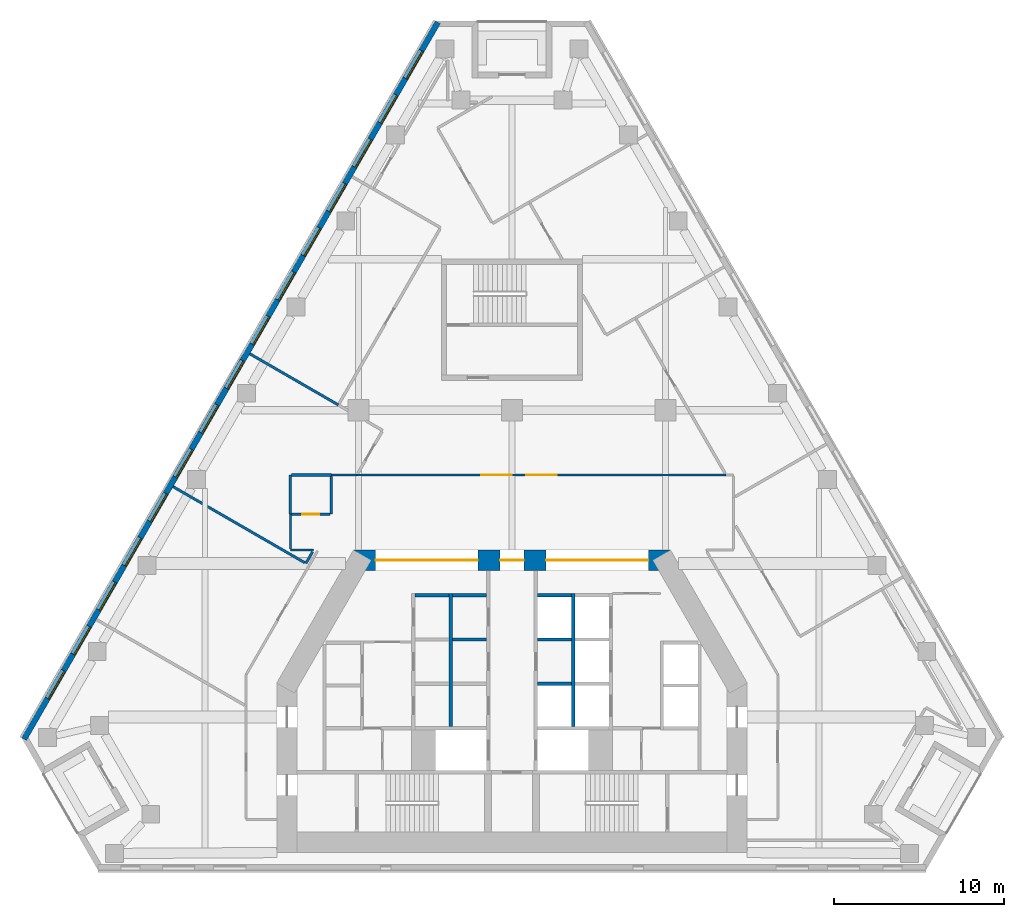
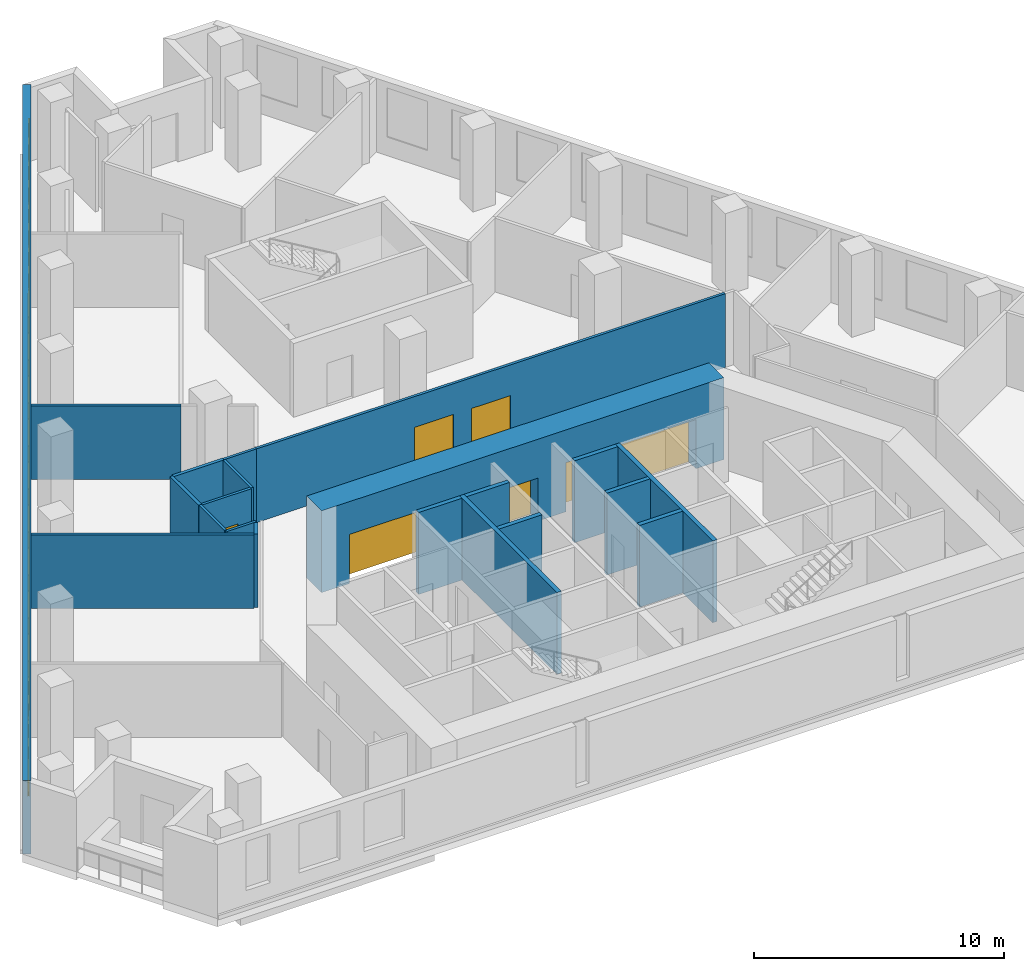
# One storey, part 4 of 8: 21 walls, 15 windows, 6 doors, 21 openings.
"""IFC4 building model written with IfcOpenShell, lengths in metres."""

from ifc_helpers import new_model, si_unit, direction, frame, frame_2d, origin, place, context, subcontext, project, spatial, rectangle, extrude, material, layer, layer_set, type_object, element, fill, save


model = new_model("IFC4")

# Units and contexts
model_context = context("Model", 3, precision=1e-05, world=origin(), true_north=direction((0.0, 1.0)))
body_context = subcontext(model_context, "Body", "Model", "MODEL_VIEW")
ifc_project = project(units=[si_unit("LENGTHUNIT", "METRE"), si_unit("AREAUNIT", "SQUARE_METRE"), si_unit("VOLUMEUNIT", "CUBIC_METRE"), si_unit("PLANEANGLEUNIT", "RADIAN"), si_unit("MASSUNIT", "GRAM", prefix="KILO")], contexts=[model_context])

# Site, building, storey
site_placement = place(None, origin())
site = spatial("IfcSite", under=ifc_project, at=site_placement, CompositionType="ELEMENT")
building_placement = place(site_placement, origin())
building = spatial("IfcBuilding", under=site, at=building_placement, Name="Fogline Exchange Tower", CompositionType="ELEMENT")
storey_placement = place(building_placement, frame((0.0, 0.0, 154.89990234375)))
storey = spatial("IfcBuildingStorey", under=building, at=storey_placement, Name="L34", CompositionType="ELEMENT", Elevation=154.89990234375)

# Walls
ifc_material_1 = material(Name="Concrete C40", Category="concrete")
ifc_layer_1 = layer(ifc_material_1, 0.199951171875)
ifc_layer_set_1 = layer_set([ifc_layer_1], Name="CW20")
wall_type_1 = type_object("IfcWallType", Name="CW20", PredefinedType="SOLIDWALL", material=ifc_layer_set_1)
wall_1_placement = place(storey_placement, frame((-3.5, 13.550048828125, 0.0), z_axis=(0.0, 0.0, 1.0), x_axis=(1.0, 0.0, 0.0)))
element("IfcWall", 1, at=wall_1_placement, inside=storey, type_object=wall_type_1, Name="Service room wall", PredefinedType="SOLIDWALL", context=body_context, shape_type="SweptSolid", body=[
    extrude(rectangle(XDim=2.0, YDim=0.199951171875, at=frame_2d((1.0, 0.0))), origin(), (0.0, 0.0, 1.0), 3.60009765625),
])
ifc_layer_2 = layer(ifc_material_1, 0.199951171875)
ifc_layer_set_2 = layer_set([ifc_layer_2], Name="CW20S")
wall_type_2 = type_object("IfcWallType", Name="CW20S", PredefinedType="SOLIDWALL", material=ifc_layer_set_2)
for number, where, z_axis, x_axis, name in (
    (2, (-3.60009765625, 8.449951171875, -0.39990234375), (0.0, 0.0, 1.0), (0.0, 1.0, 0.0), "Lift shaft wall"),
    (3, (3.60009765625, 8.449951171875, -0.39990234375), (0.0, 0.0, 1.0), (0.0, 1.0, 0.0), "Lift shaft wall"),
):
    element("IfcWall", number, at=place(storey_placement, frame(where, z_axis=z_axis, x_axis=x_axis)), inside=storey, type_object=wall_type_2, Name=name, PredefinedType="SOLIDWALL", context=body_context, shape_type="SweptSolid", body=[
        extrude(rectangle(XDim=7.800048828125, YDim=0.199951171875, at=frame_2d((3.89990234375, 0.0))), origin(), (0.0, 0.0, 1.0), 4.0),
    ])
for number, where, z_axis, x_axis, name in (
    (4, (-5.699951171875, 16.14990234375, -0.39990234375), (0.0, 0.0, 1.0), (1.0, 0.0, 0.0), "Lift shaft wall"),
    (5, (-3.5, 16.14990234375, -0.39990234375), (0.0, 0.0, 1.0), (1.0, 0.0, 0.0), "Lift shaft wall"),
    (6, (1.5, 10.949951171875, -0.39990234375), (0.0, 0.0, 1.0), (1.0, 0.0, 0.0), "Lift shaft wall"),
    (7, (1.5, 13.550048828125, -0.39990234375), (0.0, 0.0, 1.0), (1.0, 0.0, 0.0), "Lift shaft wall"),
    (8, (1.5, 16.14990234375, -0.39990234375), (0.0, 0.0, 1.0), (1.0, 0.0, 0.0), "Lift shaft wall"),
):
    element("IfcWall", number, at=place(storey_placement, frame(where, z_axis=z_axis, x_axis=x_axis)), inside=storey, type_object=wall_type_2, Name=name, PredefinedType="SOLIDWALL", context=body_context, shape_type="SweptSolid", body=[
        extrude(rectangle(XDim=2.0, YDim=0.199951171875, at=frame_2d((1.0, 0.0))), origin(), (0.0, 0.0, 1.0), 4.0),
    ])

# Wall, openings, windows
ifc_material_2 = material(Name="Brick masonry", Category="masonry")
ifc_layer_3 = layer(ifc_material_2, 0.340087890625)
ifc_layer_set_3 = layer_set([ifc_layer_3], Name="FW1")
wall_type_3 = type_object("IfcWallType", Name="FW1", PredefinedType="SOLIDWALL", material=ifc_layer_set_3)
wall_2_placement = place(storey_placement, frame((-4.352783203125, 49.756591796875, 0.0), z_axis=(0.0, 0.0, 1.0), x_axis=(-0.500001027829, -0.866024810367, 0.0)))
wall_2 = element("IfcWall", 9, at=wall_2_placement, inside=storey, type_object=wall_type_3, Name="Brick wall L34 W", PredefinedType="SOLIDWALL", context=body_context, shape_type="SweptSolid", body=[
    extrude(rectangle(XDim=48.55224609375, YDim=0.340087890625, at=frame_2d((24.276123046875, 0.0))), origin(), (0.0, 0.0, 1.0), 3.60009765625),
])
opening_1_placement = place(wall_2_placement, frame((1.9140625, 0.0, 0.89990234375)))
opening_1 = element("IfcOpeningElement", 10, at=opening_1_placement, cuts=wall_2, Name="Opening W1", PredefinedType="OPENING", context=body_context, shape_type="SweptSolid", body=[
    extrude(rectangle(XDim=1.885009765625, YDim=2.39990234375, at=frame_2d((0.9423828125, 1.199951171875))), frame((0.0, 0.18017578125, 0.0), z_axis=(0.0, -1.0, 0.0), x_axis=(1.0, 0.0, 0.0)), (0.0, 0.0, 1.0), 0.360107421875),
])
opening_2_placement = place(wall_2_placement, frame((4.9140625, 0.0, 0.89990234375)))
opening_2 = element("IfcOpeningElement", 11, at=opening_2_placement, cuts=wall_2, Name="Opening W1", PredefinedType="OPENING", context=body_context, shape_type="SweptSolid", body=[
    extrude(rectangle(XDim=1.885009765625, YDim=2.39990234375, at=frame_2d((0.9423828125, 1.199951171875))), frame((0.0, 0.18017578125, 0.0), z_axis=(0.0, -1.0, 0.0), x_axis=(1.0, 0.0, 0.0)), (0.0, 0.0, 1.0), 0.360107421875),
])
opening_3_placement = place(wall_2_placement, frame((7.9140625, 0.0, 0.89990234375)))
opening_3 = element("IfcOpeningElement", 12, at=opening_3_placement, cuts=wall_2, Name="Opening W1", PredefinedType="OPENING", context=body_context, shape_type="SweptSolid", body=[
    extrude(rectangle(XDim=1.885009765625, YDim=2.39990234375, at=frame_2d((0.9423828125, 1.199951171875))), frame((0.0, 0.18017578125, 0.0), z_axis=(0.0, -1.0, 0.0), x_axis=(1.0, 0.0, 0.0)), (0.0, 0.0, 1.0), 0.360107421875),
])
opening_4_placement = place(wall_2_placement, frame((10.9140625, 0.0, 0.89990234375)))
opening_4 = element("IfcOpeningElement", 13, at=opening_4_placement, cuts=wall_2, Name="Opening W1", PredefinedType="OPENING", context=body_context, shape_type="SweptSolid", body=[
    extrude(rectangle(XDim=1.885009765625, YDim=2.39990234375, at=frame_2d((0.9423828125, 1.199951171875))), frame((0.0, 0.18017578125, 0.0), z_axis=(0.0, -1.0, 0.0), x_axis=(1.0, 0.0, 0.0)), (0.0, 0.0, 1.0), 0.360107421875),
])
opening_5_placement = place(wall_2_placement, frame((13.9140625, 0.0, 0.89990234375)))
opening_5 = element("IfcOpeningElement", 14, at=opening_5_placement, cuts=wall_2, Name="Opening W1", PredefinedType="OPENING", context=body_context, shape_type="SweptSolid", body=[
    extrude(rectangle(XDim=1.885009765625, YDim=2.39990234375, at=frame_2d((0.9423828125, 1.199951171875))), frame((0.0, 0.18017578125, 0.0), z_axis=(0.0, -1.0, 0.0), x_axis=(1.0, 0.0, 0.0)), (0.0, 0.0, 1.0), 0.360107421875),
])
opening_6_placement = place(wall_2_placement, frame((16.9140625, 0.0, 0.89990234375)))
opening_6 = element("IfcOpeningElement", 15, at=opening_6_placement, cuts=wall_2, Name="Opening W1", PredefinedType="OPENING", context=body_context, shape_type="SweptSolid", body=[
    extrude(rectangle(XDim=1.885009765625, YDim=2.39990234375, at=frame_2d((0.9423828125, 1.199951171875))), frame((0.0, 0.18017578125, 0.0), z_axis=(0.0, -1.0, 0.0), x_axis=(1.0, 0.0, 0.0)), (0.0, 0.0, 1.0), 0.360107421875),
])
opening_7_placement = place(wall_2_placement, frame((19.9140625, 0.0, 0.89990234375)))
opening_7 = element("IfcOpeningElement", 16, at=opening_7_placement, cuts=wall_2, Name="Opening W1", PredefinedType="OPENING", context=body_context, shape_type="SweptSolid", body=[
    extrude(rectangle(XDim=1.885009765625, YDim=2.39990234375, at=frame_2d((0.9423828125, 1.199951171875))), frame((0.0, 0.18017578125, 0.0), z_axis=(0.0, -1.0, 0.0), x_axis=(1.0, 0.0, 0.0)), (0.0, 0.0, 1.0), 0.360107421875),
])
opening_8_placement = place(wall_2_placement, frame((22.9140625, 0.0, 0.89990234375)))
opening_8 = element("IfcOpeningElement", 17, at=opening_8_placement, cuts=wall_2, Name="Opening W1", PredefinedType="OPENING", context=body_context, shape_type="SweptSolid", body=[
    extrude(rectangle(XDim=1.885009765625, YDim=2.39990234375, at=frame_2d((0.9423828125, 1.199951171875))), frame((0.0, 0.18017578125, 0.0), z_axis=(0.0, -1.0, 0.0), x_axis=(1.0, 0.0, 0.0)), (0.0, 0.0, 1.0), 0.360107421875),
])
opening_9_placement = place(wall_2_placement, frame((25.9140625, 0.0, 0.89990234375)))
opening_9 = element("IfcOpeningElement", 18, at=opening_9_placement, cuts=wall_2, Name="Opening W1", PredefinedType="OPENING", context=body_context, shape_type="SweptSolid", body=[
    extrude(rectangle(XDim=1.885009765625, YDim=2.39990234375, at=frame_2d((0.9423828125, 1.199951171875))), frame((0.0, 0.18017578125, 0.0), z_axis=(0.0, -1.0, 0.0), x_axis=(1.0, 0.0, 0.0)), (0.0, 0.0, 1.0), 0.360107421875),
])
opening_10_placement = place(wall_2_placement, frame((28.9140625, 0.0, 0.89990234375)))
opening_10 = element("IfcOpeningElement", 19, at=opening_10_placement, cuts=wall_2, Name="Opening W1", PredefinedType="OPENING", context=body_context, shape_type="SweptSolid", body=[
    extrude(rectangle(XDim=1.885009765625, YDim=2.39990234375, at=frame_2d((0.9423828125, 1.199951171875))), frame((0.0, 0.18017578125, 0.0), z_axis=(0.0, -1.0, 0.0), x_axis=(1.0, 0.0, 0.0)), (0.0, 0.0, 1.0), 0.360107421875),
])
opening_11_placement = place(wall_2_placement, frame((31.9140625, 0.0, 0.89990234375)))
opening_11 = element("IfcOpeningElement", 20, at=opening_11_placement, cuts=wall_2, Name="Opening W1", PredefinedType="OPENING", context=body_context, shape_type="SweptSolid", body=[
    extrude(rectangle(XDim=1.885009765625, YDim=2.39990234375, at=frame_2d((0.9423828125, 1.199951171875))), frame((0.0, 0.18017578125, 0.0), z_axis=(0.0, -1.0, 0.0), x_axis=(1.0, 0.0, 0.0)), (0.0, 0.0, 1.0), 0.360107421875),
])
opening_12_placement = place(wall_2_placement, frame((34.9140625, 0.0, 0.89990234375)))
opening_12 = element("IfcOpeningElement", 21, at=opening_12_placement, cuts=wall_2, Name="Opening W1", PredefinedType="OPENING", context=body_context, shape_type="SweptSolid", body=[
    extrude(rectangle(XDim=1.885009765625, YDim=2.39990234375, at=frame_2d((0.9423828125, 1.199951171875))), frame((0.0, 0.18017578125, 0.0), z_axis=(0.0, -1.0, 0.0), x_axis=(1.0, 0.0, 0.0)), (0.0, 0.0, 1.0), 0.360107421875),
])
opening_13_placement = place(wall_2_placement, frame((37.9140625, 0.0, 0.89990234375)))
opening_13 = element("IfcOpeningElement", 22, at=opening_13_placement, cuts=wall_2, Name="Opening W1", PredefinedType="OPENING", context=body_context, shape_type="SweptSolid", body=[
    extrude(rectangle(XDim=1.885009765625, YDim=2.39990234375, at=frame_2d((0.9423828125, 1.199951171875))), frame((0.0, 0.18017578125, 0.0), z_axis=(0.0, -1.0, 0.0), x_axis=(1.0, 0.0, 0.0)), (0.0, 0.0, 1.0), 0.360107421875),
])
opening_14_placement = place(wall_2_placement, frame((40.9140625, 0.0, 0.89990234375)))
opening_14 = element("IfcOpeningElement", 23, at=opening_14_placement, cuts=wall_2, Name="Opening W1", PredefinedType="OPENING", context=body_context, shape_type="SweptSolid", body=[
    extrude(rectangle(XDim=1.885009765625, YDim=2.39990234375, at=frame_2d((0.9423828125, 1.199951171875))), frame((0.0, 0.18017578125, 0.0), z_axis=(0.0, -1.0, 0.0), x_axis=(1.0, 0.0, 0.0)), (0.0, 0.0, 1.0), 0.360107421875),
])
opening_15_placement = place(wall_2_placement, frame((43.9140625, 0.0, 0.89990234375)))
opening_15 = element("IfcOpeningElement", 24, at=opening_15_placement, cuts=wall_2, Name="Opening W1", PredefinedType="OPENING", context=body_context, shape_type="SweptSolid", body=[
    extrude(rectangle(XDim=1.885009765625, YDim=2.39990234375, at=frame_2d((0.9423828125, 1.199951171875))), frame((0.0, 0.18017578125, 0.0), z_axis=(0.0, -1.0, 0.0), x_axis=(1.0, 0.0, 0.0)), (0.0, 0.0, 1.0), 0.360107421875),
])
ifc_material_3 = material(Name="Aluminium and glass", Category="aluminium")
window_type = type_object("IfcWindowType", Name="W1", PartitioningType="SINGLE_PANEL", PredefinedType="WINDOW", material=ifc_material_3)
window_1_placement = place(opening_1_placement, origin())
window_1 = element("IfcWindow", 25, at=window_1_placement, inside=storey, type_object=window_type, Name="W1 W1", OverallHeight=2.39990234375, OverallWidth=1.885009765625, PartitioningType="SINGLE_PANEL", PredefinedType="WINDOW", context=body_context, shape_type="SweptSolid", body=[
    extrude(rectangle(XDim=1.885009765625, YDim=2.39990234375, at=frame_2d((0.9423828125, 1.199951171875))), frame((0.0, 0.110107421875, 0.0), z_axis=(0.0, -1.0, 0.0), x_axis=(1.0, 0.0, 0.0)), (0.0, 0.0, 1.0), 0.06005859375),
])
fill(opening_1, window_1)
window_2_placement = place(opening_2_placement, origin())
window_2 = element("IfcWindow", 26, at=window_2_placement, inside=storey, type_object=window_type, Name="W1 W1", OverallHeight=2.39990234375, OverallWidth=1.885009765625, PartitioningType="SINGLE_PANEL", PredefinedType="WINDOW", context=body_context, shape_type="SweptSolid", body=[
    extrude(rectangle(XDim=1.885009765625, YDim=2.39990234375, at=frame_2d((0.9423828125, 1.199951171875))), frame((0.0, 0.110107421875, 0.0), z_axis=(0.0, -1.0, 0.0), x_axis=(1.0, 0.0, 0.0)), (0.0, 0.0, 1.0), 0.06005859375),
])
fill(opening_2, window_2)
window_3_placement = place(opening_3_placement, origin())
window_3 = element("IfcWindow", 27, at=window_3_placement, inside=storey, type_object=window_type, Name="W1 W1", OverallHeight=2.39990234375, OverallWidth=1.885009765625, PartitioningType="SINGLE_PANEL", PredefinedType="WINDOW", context=body_context, shape_type="SweptSolid", body=[
    extrude(rectangle(XDim=1.885009765625, YDim=2.39990234375, at=frame_2d((0.9423828125, 1.199951171875))), frame((0.0, 0.110107421875, 0.0), z_axis=(0.0, -1.0, 0.0), x_axis=(1.0, 0.0, 0.0)), (0.0, 0.0, 1.0), 0.06005859375),
])
fill(opening_3, window_3)
window_4_placement = place(opening_4_placement, origin())
window_4 = element("IfcWindow", 28, at=window_4_placement, inside=storey, type_object=window_type, Name="W1 W1", OverallHeight=2.39990234375, OverallWidth=1.885009765625, PartitioningType="SINGLE_PANEL", PredefinedType="WINDOW", context=body_context, shape_type="SweptSolid", body=[
    extrude(rectangle(XDim=1.885009765625, YDim=2.39990234375, at=frame_2d((0.9423828125, 1.199951171875))), frame((0.0, 0.110107421875, 0.0), z_axis=(0.0, -1.0, 0.0), x_axis=(1.0, 0.0, 0.0)), (0.0, 0.0, 1.0), 0.06005859375),
])
fill(opening_4, window_4)
window_5_placement = place(opening_5_placement, origin())
window_5 = element("IfcWindow", 29, at=window_5_placement, inside=storey, type_object=window_type, Name="W1 W1", OverallHeight=2.39990234375, OverallWidth=1.885009765625, PartitioningType="SINGLE_PANEL", PredefinedType="WINDOW", context=body_context, shape_type="SweptSolid", body=[
    extrude(rectangle(XDim=1.885009765625, YDim=2.39990234375, at=frame_2d((0.9423828125, 1.199951171875))), frame((0.0, 0.110107421875, 0.0), z_axis=(0.0, -1.0, 0.0), x_axis=(1.0, 0.0, 0.0)), (0.0, 0.0, 1.0), 0.06005859375),
])
fill(opening_5, window_5)
window_6_placement = place(opening_6_placement, origin())
window_6 = element("IfcWindow", 30, at=window_6_placement, inside=storey, type_object=window_type, Name="W1 W1", OverallHeight=2.39990234375, OverallWidth=1.885009765625, PartitioningType="SINGLE_PANEL", PredefinedType="WINDOW", context=body_context, shape_type="SweptSolid", body=[
    extrude(rectangle(XDim=1.885009765625, YDim=2.39990234375, at=frame_2d((0.9423828125, 1.199951171875))), frame((0.0, 0.110107421875, 0.0), z_axis=(0.0, -1.0, 0.0), x_axis=(1.0, 0.0, 0.0)), (0.0, 0.0, 1.0), 0.06005859375),
])
fill(opening_6, window_6)
window_7_placement = place(opening_7_placement, origin())
window_7 = element("IfcWindow", 31, at=window_7_placement, inside=storey, type_object=window_type, Name="W1 W1", OverallHeight=2.39990234375, OverallWidth=1.885009765625, PartitioningType="SINGLE_PANEL", PredefinedType="WINDOW", context=body_context, shape_type="SweptSolid", body=[
    extrude(rectangle(XDim=1.885009765625, YDim=2.39990234375, at=frame_2d((0.9423828125, 1.199951171875))), frame((0.0, 0.110107421875, 0.0), z_axis=(0.0, -1.0, 0.0), x_axis=(1.0, 0.0, 0.0)), (0.0, 0.0, 1.0), 0.06005859375),
])
fill(opening_7, window_7)
window_8_placement = place(opening_8_placement, origin())
window_8 = element("IfcWindow", 32, at=window_8_placement, inside=storey, type_object=window_type, Name="W1 W1", OverallHeight=2.39990234375, OverallWidth=1.885009765625, PartitioningType="SINGLE_PANEL", PredefinedType="WINDOW", context=body_context, shape_type="SweptSolid", body=[
    extrude(rectangle(XDim=1.885009765625, YDim=2.39990234375, at=frame_2d((0.9423828125, 1.199951171875))), frame((0.0, 0.110107421875, 0.0), z_axis=(0.0, -1.0, 0.0), x_axis=(1.0, 0.0, 0.0)), (0.0, 0.0, 1.0), 0.06005859375),
])
fill(opening_8, window_8)
window_9_placement = place(opening_9_placement, origin())
window_9 = element("IfcWindow", 33, at=window_9_placement, inside=storey, type_object=window_type, Name="W1 W1", OverallHeight=2.39990234375, OverallWidth=1.885009765625, PartitioningType="SINGLE_PANEL", PredefinedType="WINDOW", context=body_context, shape_type="SweptSolid", body=[
    extrude(rectangle(XDim=1.885009765625, YDim=2.39990234375, at=frame_2d((0.9423828125, 1.199951171875))), frame((0.0, 0.110107421875, 0.0), z_axis=(0.0, -1.0, 0.0), x_axis=(1.0, 0.0, 0.0)), (0.0, 0.0, 1.0), 0.06005859375),
])
fill(opening_9, window_9)
window_10_placement = place(opening_10_placement, origin())
window_10 = element("IfcWindow", 34, at=window_10_placement, inside=storey, type_object=window_type, Name="W1 W1", OverallHeight=2.39990234375, OverallWidth=1.885009765625, PartitioningType="SINGLE_PANEL", PredefinedType="WINDOW", context=body_context, shape_type="SweptSolid", body=[
    extrude(rectangle(XDim=1.885009765625, YDim=2.39990234375, at=frame_2d((0.9423828125, 1.199951171875))), frame((0.0, 0.110107421875, 0.0), z_axis=(0.0, -1.0, 0.0), x_axis=(1.0, 0.0, 0.0)), (0.0, 0.0, 1.0), 0.06005859375),
])
fill(opening_10, window_10)
window_11_placement = place(opening_11_placement, origin())
window_11 = element("IfcWindow", 35, at=window_11_placement, inside=storey, type_object=window_type, Name="W1 W1", OverallHeight=2.39990234375, OverallWidth=1.885009765625, PartitioningType="SINGLE_PANEL", PredefinedType="WINDOW", context=body_context, shape_type="SweptSolid", body=[
    extrude(rectangle(XDim=1.885009765625, YDim=2.39990234375, at=frame_2d((0.9423828125, 1.199951171875))), frame((0.0, 0.110107421875, 0.0), z_axis=(0.0, -1.0, 0.0), x_axis=(1.0, 0.0, 0.0)), (0.0, 0.0, 1.0), 0.06005859375),
])
fill(opening_11, window_11)
window_12_placement = place(opening_12_placement, origin())
window_12 = element("IfcWindow", 36, at=window_12_placement, inside=storey, type_object=window_type, Name="W1 W1", OverallHeight=2.39990234375, OverallWidth=1.885009765625, PartitioningType="SINGLE_PANEL", PredefinedType="WINDOW", context=body_context, shape_type="SweptSolid", body=[
    extrude(rectangle(XDim=1.885009765625, YDim=2.39990234375, at=frame_2d((0.9423828125, 1.199951171875))), frame((0.0, 0.110107421875, 0.0), z_axis=(0.0, -1.0, 0.0), x_axis=(1.0, 0.0, 0.0)), (0.0, 0.0, 1.0), 0.06005859375),
])
fill(opening_12, window_12)
window_13_placement = place(opening_13_placement, origin())
window_13 = element("IfcWindow", 37, at=window_13_placement, inside=storey, type_object=window_type, Name="W1 W1", OverallHeight=2.39990234375, OverallWidth=1.885009765625, PartitioningType="SINGLE_PANEL", PredefinedType="WINDOW", context=body_context, shape_type="SweptSolid", body=[
    extrude(rectangle(XDim=1.885009765625, YDim=2.39990234375, at=frame_2d((0.9423828125, 1.199951171875))), frame((0.0, 0.110107421875, 0.0), z_axis=(0.0, -1.0, 0.0), x_axis=(1.0, 0.0, 0.0)), (0.0, 0.0, 1.0), 0.06005859375),
])
fill(opening_13, window_13)
window_14_placement = place(opening_14_placement, origin())
window_14 = element("IfcWindow", 38, at=window_14_placement, inside=storey, type_object=window_type, Name="W1 W1", OverallHeight=2.39990234375, OverallWidth=1.885009765625, PartitioningType="SINGLE_PANEL", PredefinedType="WINDOW", context=body_context, shape_type="SweptSolid", body=[
    extrude(rectangle(XDim=1.885009765625, YDim=2.39990234375, at=frame_2d((0.9423828125, 1.199951171875))), frame((0.0, 0.110107421875, 0.0), z_axis=(0.0, -1.0, 0.0), x_axis=(1.0, 0.0, 0.0)), (0.0, 0.0, 1.0), 0.06005859375),
])
fill(opening_14, window_14)
window_15_placement = place(opening_15_placement, origin())
window_15 = element("IfcWindow", 39, at=window_15_placement, inside=storey, type_object=window_type, Name="W1 W1", OverallHeight=2.39990234375, OverallWidth=1.885009765625, PartitioningType="SINGLE_PANEL", PredefinedType="WINDOW", context=body_context, shape_type="SweptSolid", body=[
    extrude(rectangle(XDim=1.885009765625, YDim=2.39990234375, at=frame_2d((0.9423828125, 1.199951171875))), frame((0.0, 0.110107421875, 0.0), z_axis=(0.0, -1.0, 0.0), x_axis=(1.0, 0.0, 0.0)), (0.0, 0.0, 1.0), 0.06005859375),
])
fill(opening_15, window_15)

# Wall, openings, doors
ifc_material_4 = material(Name="Plasterboard corridor partition with mineral wool, 2 layers each side")
ifc_layer_4 = layer(ifc_material_4, 0.125)
ifc_layer_set_4 = layer_set([ifc_layer_4], Name="PW2")
wall_type_4 = type_object("IfcWallType", Name="PW2", PredefinedType="PARTITIONING", material=ifc_layer_set_4)
wall_3_placement = place(storey_placement, frame((-9.0966796875, 23.199951171875, 0.0), z_axis=(0.0, 0.0, 1.0), x_axis=(1.0, 0.0, 0.0)))
wall_3 = element("IfcWall", 40, at=wall_3_placement, inside=storey, type_object=wall_type_4, Name="wall-L34-W007", PredefinedType="PARTITIONING", context=body_context, shape_type="SweptSolid", body=[
    extrude(rectangle(XDim=21.657470703125, YDim=0.125, at=frame_2d((10.82861328125, 0.0))), origin(), (0.0, 0.0, 1.0), 3.60009765625),
])
opening_16_placement = place(wall_3_placement, frame((7.2890625, 0.0, 0.0)))
opening_16 = element("IfcOpeningElement", 41, at=opening_16_placement, cuts=wall_3, Name="Opening T11-D002", PredefinedType="OPENING", context=body_context, shape_type="SweptSolid", body=[
    extrude(rectangle(XDim=1.800048828125, YDim=2.10009765625, at=frame_2d((0.89990234375, 1.050048828125))), frame((0.0, 0.072509765625, 0.0), z_axis=(0.0, -1.0, 0.0), x_axis=(1.0, 0.0, 0.0)), (0.0, 0.0, 1.0), 0.14501953125),
])
opening_17_placement = place(wall_3_placement, frame((9.9287109375, 0.0, 0.0)))
opening_17 = element("IfcOpeningElement", 42, at=opening_17_placement, cuts=wall_3, Name="Opening T11-D003", PredefinedType="OPENING", context=body_context, shape_type="SweptSolid", body=[
    extrude(rectangle(XDim=1.800048828125, YDim=2.10009765625, at=frame_2d((0.89990234375, 1.050048828125))), frame((0.0, 0.072509765625, 0.0), z_axis=(0.0, -1.0, 0.0), x_axis=(1.0, 0.0, 0.0)), (0.0, 0.0, 1.0), 0.14501953125),
])
ifc_material_5 = material(Name="Fire-rated timber door leaves with steel frame", Category="steel")
door_type_1 = type_object("IfcDoorType", Name="D4", OperationType="DOUBLE_DOOR_SINGLE_SWING", PredefinedType="DOOR", material=ifc_material_5)
door_1_placement = place(opening_16_placement, frame((1.800048828125, 0.0, 0.0), z_axis=(0.0, 0.0, 1.0), x_axis=(-1.0, 0.0, 0.0)))
door_1 = element("IfcDoor", 43, at=door_1_placement, inside=storey, type_object=door_type_1, Name="door-L34-D002", OperationType="DOUBLE_DOOR_SINGLE_SWING", OverallHeight=2.10009765625, OverallWidth=1.800048828125, PredefinedType="DOOR", context=body_context, shape_type="SweptSolid", body=[
    extrude(rectangle(XDim=1.800048828125, YDim=2.10009765625, at=frame_2d((0.89990234375, 1.050048828125))), frame((0.0, 0.02490234375, 0.0), z_axis=(0.0, -1.0, 0.0), x_axis=(1.0, 0.0, 0.0)), (0.0, 0.0, 1.0), 0.050048828125),
])
fill(opening_16, door_1)
door_2_placement = place(opening_17_placement, frame((1.800048828125, 0.0, 0.0), z_axis=(0.0, 0.0, 1.0), x_axis=(-1.0, 0.0, 0.0)))
door_2 = element("IfcDoor", 44, at=door_2_placement, inside=storey, type_object=door_type_1, Name="door-L34-D003", OperationType="DOUBLE_DOOR_SINGLE_SWING", OverallHeight=2.10009765625, OverallWidth=1.800048828125, PredefinedType="DOOR", context=body_context, shape_type="SweptSolid", body=[
    extrude(rectangle(XDim=1.800048828125, YDim=2.10009765625, at=frame_2d((0.89990234375, 1.050048828125))), frame((0.0, 0.02490234375, 0.0), z_axis=(0.0, -1.0, 0.0), x_axis=(1.0, 0.0, 0.0)), (0.0, 0.0, 1.0), 0.050048828125),
])
fill(opening_17, door_2)

# Walls
wall_4_placement = place(storey_placement, frame((-11.636962890625, 18.800048828125, 0.0), z_axis=(0.0, 0.0, 1.0), x_axis=(-1.0, 0.0, 0.0)))
element("IfcWall", 45, at=wall_4_placement, inside=storey, type_object=wall_type_4, Name="wall-L34-W008", PredefinedType="PARTITIONING", context=body_context, shape_type="SweptSolid", body=[
    extrude(rectangle(XDim=1.363037109375, YDim=0.125, at=frame_2d((0.681640625, 0.0))), origin(), (0.0, 0.0, 1.0), 3.60009765625),
])
wall_5_placement = place(storey_placement, frame((-13.0, 18.862548828125, 0.0), z_axis=(0.0, 0.0, 1.0), x_axis=(0.0, 1.0, 0.0)))
element("IfcWall", 46, at=wall_5_placement, inside=storey, type_object=wall_type_4, Name="wall-L34-W009", PredefinedType="PARTITIONING", context=body_context, shape_type="SweptSolid", body=[
    extrude(rectangle(XDim=2.037353515625, YDim=0.125, at=frame_2d((1.0185546875, 0.0))), origin(), (0.0, 0.0, 1.0), 3.60009765625),
])
wall_6_placement = place(storey_placement, frame((-10.60009765625, 23.199951171875, 0.0), z_axis=(0.0, 0.0, 1.0), x_axis=(1.0, 0.0, 0.0)))
element("IfcWall", 47, at=wall_6_placement, inside=storey, type_object=wall_type_4, Name="wall-L34-W010", PredefinedType="PARTITIONING", context=body_context, shape_type="SweptSolid", body=[
    extrude(rectangle(XDim=1.50341796875, YDim=0.125, at=frame_2d((0.751708984375, 0.0))), origin(), (0.0, 0.0, 1.0), 3.60009765625),
])

# Wall, opening, door
wall_7_placement = place(storey_placement, frame((-12.925048828125, 20.89990234375, 0.0), z_axis=(0.0, 0.0, 1.0), x_axis=(1.0, 0.0, 0.0)))
wall_7 = element("IfcWall", 48, at=wall_7_placement, inside=storey, type_object=wall_type_4, Name="wall-L34-W011", PredefinedType="PARTITIONING", context=body_context, shape_type="SweptSolid", body=[
    extrude(rectangle(XDim=2.262451171875, YDim=0.125, at=frame_2d((1.13134765625, 0.0))), origin(), (0.0, 0.0, 1.0), 3.60009765625),
])
opening_18_placement = place(wall_7_placement, frame((0.63134765625, 0.0, 0.0)))
opening_18 = element("IfcOpeningElement", 49, at=opening_18_placement, cuts=wall_7, Name="Opening T11-D004", PredefinedType="OPENING", context=body_context, shape_type="SweptSolid", body=[
    extrude(rectangle(XDim=1.0, YDim=2.10009765625, at=frame_2d((0.5, 1.050048828125))), frame((0.0, 0.072509765625, 0.0), z_axis=(0.0, -1.0, 0.0), x_axis=(1.0, 0.0, 0.0)), (0.0, 0.0, 1.0), 0.14501953125),
])
ifc_material_6 = material(Name="Fire-rated timber door leaf with steel frame", Category="steel")
door_type_2 = type_object("IfcDoorType", Name="D3", OperationType="SINGLE_SWING_LEFT", PredefinedType="DOOR", material=ifc_material_6)
door_3_placement = place(opening_18_placement, origin())
door_3 = element("IfcDoor", 50, at=door_3_placement, inside=storey, type_object=door_type_2, Name="door-L34-D004", OperationType="SINGLE_SWING_LEFT", OverallHeight=2.10009765625, OverallWidth=1.0, PredefinedType="DOOR", context=body_context, shape_type="SweptSolid", body=[
    extrude(rectangle(XDim=1.0, YDim=2.10009765625, at=frame_2d((0.5, 1.050048828125))), frame((0.0, 0.02490234375, 0.0), z_axis=(0.0, -1.0, 0.0), x_axis=(1.0, 0.0, 0.0)), (0.0, 0.0, 1.0), 0.050048828125),
])
fill(opening_18, door_3)

# Walls
wall_8_placement = place(storey_placement, frame((-10.60009765625, 20.89990234375, 0.0), z_axis=(0.0, 0.0, 1.0), x_axis=(0.0, 1.0, 0.0)))
element("IfcWall", 51, at=wall_8_placement, inside=storey, type_object=wall_type_4, Name="wall-L34-W012", PredefinedType="PARTITIONING", context=body_context, shape_type="SweptSolid", body=[
    extrude(rectangle(XDim=2.22509765625, YDim=0.125, at=frame_2d((1.112548828125, 0.0))), origin(), (0.0, 0.0, 1.0), 3.60009765625),
])
ifc_material_7 = material(Name="Plasterboard demising partition with mineral wool and acoustic board")
ifc_layer_5 = layer(ifc_material_7, 0.14990234375)
ifc_layer_set_5 = layer_set([ifc_layer_5], Name="PW3")
wall_type_5 = type_object("IfcWallType", Name="PW3", PredefinedType="PARTITIONING", material=ifc_layer_set_5)
wall_9_placement = place(storey_placement, frame((-10.187744140625, 27.310302734375, 0.0), z_axis=(0.0, 0.0, 1.0), x_axis=(-0.866020924479, 0.500007758305, 0.0)))
element("IfcWall", 52, at=wall_9_placement, inside=storey, type_object=wall_type_5, Name="wall-L34-W044", PredefinedType="PARTITIONING", context=body_context, shape_type="SweptSolid", body=[
    extrude(rectangle(XDim=6.0, YDim=0.14990234375, at=frame_2d((3.0, 0.0))), origin(), (0.0, 0.0, 1.0), 3.60009765625),
])
wall_10_placement = place(storey_placement, frame((-10.60009765625, 23.199951171875, 0.0), z_axis=(0.0, 0.0, 1.0), x_axis=(-1.0, 0.0, 0.0)))
element("IfcWall", 53, at=wall_10_placement, inside=storey, type_object=wall_type_5, Name="wall-L34-W045", PredefinedType="PARTITIONING", context=body_context, shape_type="SweptSolid", body=[
    extrude(rectangle(XDim=2.324951171875, YDim=0.14990234375, at=frame_2d((1.16259765625, 0.0))), origin(), (0.0, 0.0, 1.0), 3.60009765625),
])
wall_11_placement = place(storey_placement, frame((-13.0, 23.199951171875, 0.0), z_axis=(0.0, 0.0, 1.0), x_axis=(0.0, -1.0, 0.0)))
element("IfcWall", 54, at=wall_11_placement, inside=storey, type_object=wall_type_5, Name="wall-L34-W046", PredefinedType="PARTITIONING", context=body_context, shape_type="SweptSolid", body=[
    extrude(rectangle(XDim=2.300048828125, YDim=0.14990234375, at=frame_2d((1.14990234375, 0.0))), origin(), (0.0, 0.0, 1.0), 3.60009765625),
])
wall_12_placement = place(storey_placement, frame((-11.695068359375, 18.69970703125, 0.0), z_axis=(0.0, 0.0, 1.0), x_axis=(-0.499865263774, -0.866103179807, 0.0)))
element("IfcWall", 55, at=wall_12_placement, inside=storey, type_object=wall_type_5, Name="wall-L34-W047", PredefinedType="PARTITIONING", context=body_context, shape_type="SweptSolid", body=[
    extrude(rectangle(XDim=0.789306640625, YDim=0.14990234375, at=frame_2d((0.39453125, 0.0))), origin(), (0.0, 0.0, 1.0), 3.60009765625),
])
wall_13_placement = place(storey_placement, frame((-12.154541015625, 18.053466796875, 0.0), z_axis=(0.0, 0.0, 1.0), x_axis=(-0.866017493347, 0.500013701029, 0.0)))
element("IfcWall", 56, at=wall_13_placement, inside=storey, type_object=wall_type_5, Name="wall-L34-W048", PredefinedType="PARTITIONING", context=body_context, shape_type="SweptSolid", body=[
    extrude(rectangle(XDim=8.925048828125, YDim=0.14990234375, at=frame_2d((4.46240234375, 0.0))), origin(), (0.0, 0.0, 1.0), 3.60009765625),
])

# Wall, openings, doors
ifc_material_8 = material(Name="Concrete C60", Category="concrete")
ifc_layer_6 = layer(ifc_material_8, 1.199951171875)
ifc_layer_set_6 = layer_set([ifc_layer_6], Name="SW02")
wall_type_6 = type_object("IfcWallType", Name="SW02", PredefinedType="SHEAR", material=ifc_layer_set_6)
wall_14_placement = place(storey_placement, frame((9.296142578125, 18.199951171875, 0.0), z_axis=(0.0, 0.0, 1.0), x_axis=(-1.0, 0.0, 0.0)))
wall_14 = element("IfcWall", 57, at=wall_14_placement, inside=storey, type_object=wall_type_6, Name="L34-W904", PredefinedType="SHEAR", context=body_context, shape_type="SweptSolid", body=[
    extrude(rectangle(XDim=18.59228515625, YDim=1.199951171875, at=frame_2d((9.296142578125, 0.0))), origin(), (0.0, 0.0, 1.0), 4.0),
])
opening_19_placement = place(wall_14_placement, frame((8.59619140625, 0.0, 0.0)))
opening_19 = element("IfcOpeningElement", 58, at=opening_19_placement, cuts=wall_14, Name="Opening T11-C023", PredefinedType="OPENING", context=body_context, shape_type="SweptSolid", body=[
    extrude(rectangle(XDim=1.39990234375, YDim=2.10009765625, at=frame_2d((0.699951171875, 1.050048828125))), frame((0.0, 0.60986328125, 0.0), z_axis=(0.0, -1.0, 0.0), x_axis=(1.0, 0.0, 0.0)), (0.0, 0.0, 1.0), 1.219970703125),
])
opening_20_placement = place(wall_14_placement, frame((11.296142578125, 0.0, 0.0)))
opening_20 = element("IfcOpeningElement", 59, at=opening_20_placement, cuts=wall_14, Name="Opening T11-C024", PredefinedType="OPENING", context=body_context, shape_type="SweptSolid", body=[
    extrude(rectangle(XDim=6.0, YDim=2.39990234375, at=frame_2d((3.0, 1.199951171875))), frame((0.0, 0.60986328125, 0.0), z_axis=(0.0, -1.0, 0.0), x_axis=(1.0, 0.0, 0.0)), (0.0, 0.0, 1.0), 1.219970703125),
])
opening_21_placement = place(wall_14_placement, frame((1.296142578125, 0.0, 0.0)))
opening_21 = element("IfcOpeningElement", 60, at=opening_21_placement, cuts=wall_14, Name="Opening T11-C025", PredefinedType="OPENING", context=body_context, shape_type="SweptSolid", body=[
    extrude(rectangle(XDim=6.0, YDim=2.39990234375, at=frame_2d((3.0, 1.199951171875))), frame((0.0, 0.60986328125, 0.0), z_axis=(0.0, -1.0, 0.0), x_axis=(1.0, 0.0, 0.0)), (0.0, 0.0, 1.0), 1.219970703125),
])
ifc_material_9 = material(Name="Steel and timber fire door", Category="steel")
door_type_3 = type_object("IfcDoorType", Name="D-LB1", OperationType="DOUBLE_DOOR_SINGLE_SWING", PredefinedType="DOOR", material=ifc_material_9)
door_4_placement = place(opening_19_placement, origin())
door_4 = element("IfcDoor", 61, at=door_4_placement, inside=storey, type_object=door_type_3, Name="Protected lobby door", OperationType="DOUBLE_DOOR_SINGLE_SWING", OverallHeight=2.10009765625, OverallWidth=1.39990234375, PredefinedType="DOOR", context=body_context, shape_type="SweptSolid", body=[
    extrude(rectangle(XDim=1.39990234375, YDim=2.10009765625, at=frame_2d((0.699951171875, 1.050048828125))), frame((0.0, 0.02490234375, 0.0), z_axis=(0.0, -1.0, 0.0), x_axis=(1.0, 0.0, 0.0)), (0.0, 0.0, 1.0), 0.050048828125),
])
fill(opening_19, door_4)
door_type_4 = type_object("IfcDoorType", Name="D-LE1", OperationType="DOUBLE_DOOR_SLIDING", PredefinedType="DOOR", material=ifc_material_9)
door_5_placement = place(opening_20_placement, origin())
door_5 = element("IfcDoor", 62, at=door_5_placement, inside=storey, type_object=door_type_4, Name="Lift lobby entrance west", OperationType="DOUBLE_DOOR_SLIDING", OverallHeight=2.39990234375, OverallWidth=6.0, PredefinedType="DOOR", context=body_context, shape_type="SweptSolid", body=[
    extrude(rectangle(XDim=6.0, YDim=2.39990234375, at=frame_2d((3.0, 1.199951171875))), frame((0.0, 0.02490234375, 0.0), z_axis=(0.0, -1.0, 0.0), x_axis=(1.0, 0.0, 0.0)), (0.0, 0.0, 1.0), 0.050048828125),
])
fill(opening_20, door_5)
door_6_placement = place(opening_21_placement, origin())
door_6 = element("IfcDoor", 63, at=door_6_placement, inside=storey, type_object=door_type_4, Name="Lift lobby entrance east", OperationType="DOUBLE_DOOR_SLIDING", OverallHeight=2.39990234375, OverallWidth=6.0, PredefinedType="DOOR", context=body_context, shape_type="SweptSolid", body=[
    extrude(rectangle(XDim=6.0, YDim=2.39990234375, at=frame_2d((3.0, 1.199951171875))), frame((0.0, 0.02490234375, 0.0), z_axis=(0.0, -1.0, 0.0), x_axis=(1.0, 0.0, 0.0)), (0.0, 0.0, 1.0), 0.050048828125),
])
fill(opening_21, door_6)

save(model, "model.ifc")
